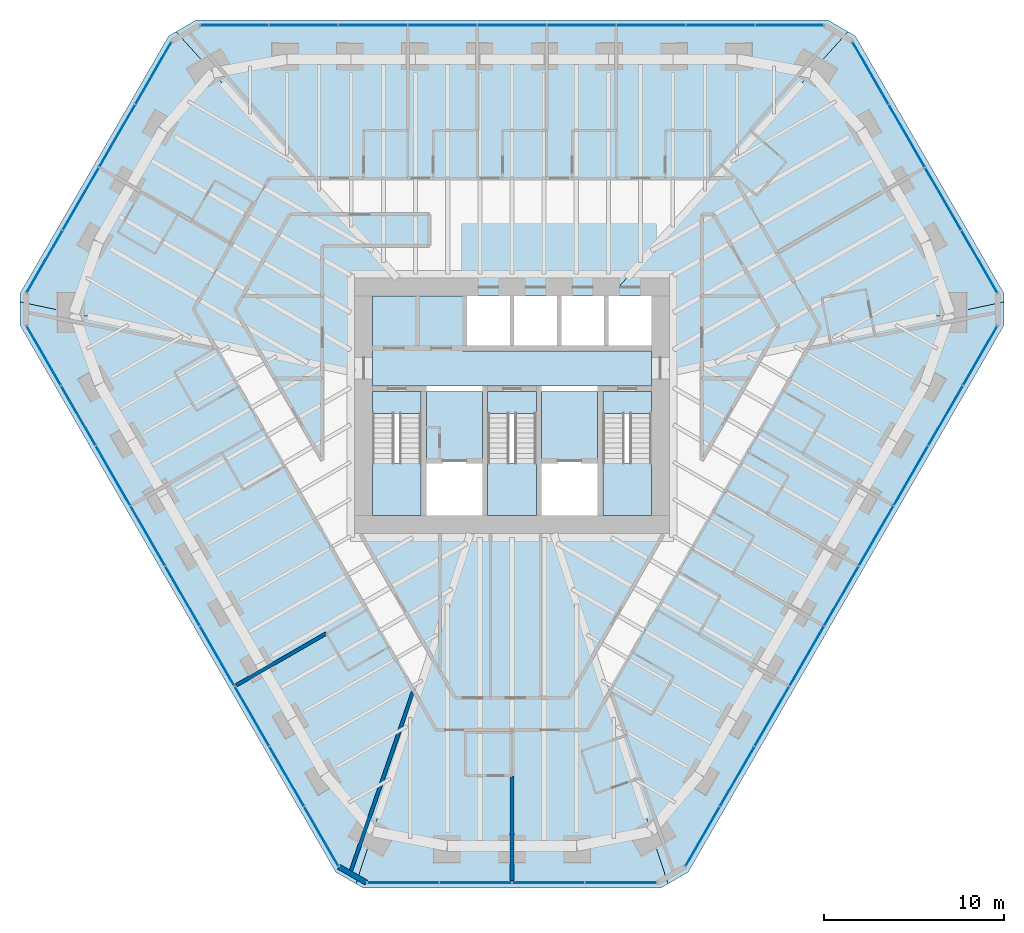
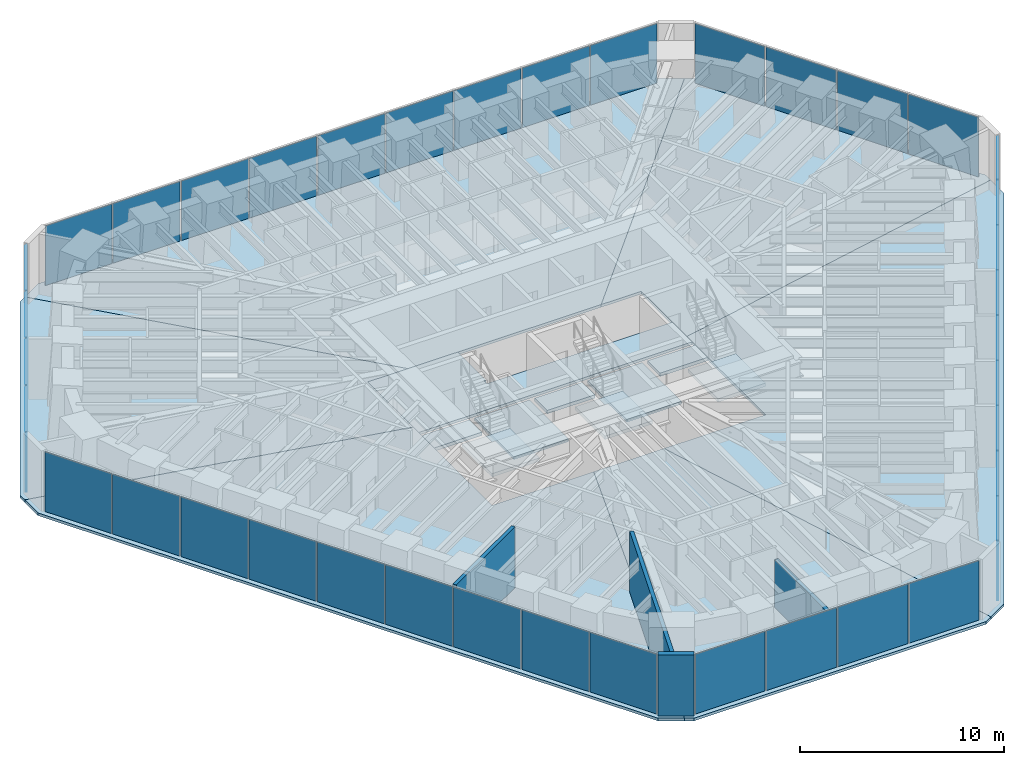
# One storey, part 10 of 17: 39 plates, 15 slabs, 4 walls, 9 elements without a shape of their own.
"""IFC4 building model written with IfcOpenShell, lengths in metres."""

from ifc_helpers import new_model, si_unit, direction, frame, frame_2d, origin, origin_2d, place, context, subcontext, project, spatial, polyline, rectangle, outline, extrude, material, layer, layer_set, type_object, element, aggregate, save


model = new_model("IFC4")

# Units and contexts
model_context = context("Model", 3, precision=1e-05, world=origin(), true_north=direction((0.0, 1.0)))
body_context = subcontext(model_context, "Body", "Model", "MODEL_VIEW")
ifc_project = project(units=[si_unit("LENGTHUNIT", "METRE"), si_unit("AREAUNIT", "SQUARE_METRE"), si_unit("VOLUMEUNIT", "CUBIC_METRE"), si_unit("PLANEANGLEUNIT", "RADIAN"), si_unit("MASSUNIT", "GRAM", prefix="KILO")], contexts=[model_context])

# Site, building, storey
site_placement = place(None, origin())
site = spatial("IfcSite", under=ifc_project, at=site_placement, CompositionType="ELEMENT")
building_placement = place(site_placement, origin())
building = spatial("IfcBuilding", under=site, at=building_placement, Name="Sandreach Pilgrim Tower", CompositionType="ELEMENT")
storey_placement = place(building_placement, frame((0.0, 0.0, 240.199951171875)))
storey = spatial("IfcBuildingStorey", under=building, at=storey_placement, Name="L60", CompositionType="ELEMENT", Elevation=240.199951171875)

# Curtain wall, plates
ifc_material_1 = material(Name="Aluminium framed curtain wall", Category="aluminium")
curtain_wall_type = type_object("IfcCurtainWallType", Name="Upper hotel tower curtain wall", PredefinedType="NOTDEFINED", material=ifc_material_1)
curtain_wall_1_placement = place(storey_placement, origin())
curtain_wall_1 = element("IfcCurtainWall", 1, at=curtain_wall_1_placement, inside=storey, type_object=curtain_wall_type, Name="CW-3 L60 N", PredefinedType="NOTDEFINED")
ifc_material_2 = material(Name="Insulating glass unit 12.76 laminated + 20 argon + 12.76 laminated", Category="glass")
ifc_layer_1 = layer(ifc_material_2, 0.0458984375)
ifc_layer_set_1 = layer_set([ifc_layer_1], Name="CW-3 panel")
plate_type = type_object("IfcPlateType", Name="CW-3 panel", PredefinedType="CURTAIN_PANEL", material=ifc_layer_set_1)
plate_1_placement = place(storey_placement, frame((-15.44140625, 21.16015625, 0.0), z_axis=(0.0, 0.0, 1.0), x_axis=(1.0, 0.0, 0.0)))
plate_1 = element("IfcPlate", 2, at=plate_1_placement, type_object=plate_type, Name="CW-3 panel 1", PredefinedType="CURTAIN_PANEL", context=body_context, shape_type="SweptSolid", body=[
    extrude(rectangle(XDim=3.766845703125, YDim=0.0458984375, at=origin_2d()), origin(), (0.0, 0.0, 1.0), 3.570068359375),
])
plate_2_placement = place(storey_placement, frame((-11.59326171875, 21.16015625, 0.0), z_axis=(0.0, 0.0, 1.0), x_axis=(1.0, 0.0, 0.0)))
plate_2 = element("IfcPlate", 3, at=plate_2_placement, type_object=plate_type, Name="CW-3 panel 2", PredefinedType="CURTAIN_PANEL", context=body_context, shape_type="SweptSolid", body=[
    extrude(rectangle(XDim=3.79931640625, YDim=0.0458984375, at=origin_2d()), origin(), (0.0, 0.0, 1.0), 3.570068359375),
])
plate_3_placement = place(storey_placement, frame((-7.728759765625, 21.16015625, 0.0), z_axis=(0.0, 0.0, 1.0), x_axis=(1.0, 0.0, 0.0)))
plate_3 = element("IfcPlate", 4, at=plate_3_placement, type_object=plate_type, Name="CW-3 panel 3", PredefinedType="CURTAIN_PANEL", context=body_context, shape_type="SweptSolid", body=[
    extrude(rectangle(XDim=3.79931640625, YDim=0.0458984375, at=origin_2d()), origin(), (0.0, 0.0, 1.0), 3.570068359375),
])
plate_4_placement = place(storey_placement, frame((-3.864501953125, 21.16015625, 0.0), z_axis=(0.0, 0.0, 1.0), x_axis=(1.0, 0.0, 0.0)))
plate_4 = element("IfcPlate", 5, at=plate_4_placement, type_object=plate_type, Name="CW-3 panel 4", PredefinedType="CURTAIN_PANEL", context=body_context, shape_type="SweptSolid", body=[
    extrude(rectangle(XDim=3.79931640625, YDim=0.0458984375, at=origin_2d()), origin(), (0.0, 0.0, 1.0), 3.570068359375),
])
plate_5_placement = place(storey_placement, frame((0.0, 21.16015625, 0.0), z_axis=(0.0, 0.0, 1.0), x_axis=(1.0, 0.0, 0.0)))
plate_5 = element("IfcPlate", 6, at=plate_5_placement, type_object=plate_type, Name="CW-3 panel 5", PredefinedType="CURTAIN_PANEL", context=body_context, shape_type="SweptSolid", body=[
    extrude(rectangle(XDim=3.79931640625, YDim=0.0458984375, at=origin_2d()), origin(), (0.0, 0.0, 1.0), 3.570068359375),
])
plate_6_placement = place(storey_placement, frame((3.864501953125, 21.16015625, 0.0), z_axis=(0.0, 0.0, 1.0), x_axis=(1.0, 0.0, 0.0)))
plate_6 = element("IfcPlate", 7, at=plate_6_placement, type_object=plate_type, Name="CW-3 panel 6", PredefinedType="CURTAIN_PANEL", context=body_context, shape_type="SweptSolid", body=[
    extrude(rectangle(XDim=3.79931640625, YDim=0.0458984375, at=origin_2d()), origin(), (0.0, 0.0, 1.0), 3.570068359375),
])
plate_7_placement = place(storey_placement, frame((7.728759765625, 21.16015625, 0.0), z_axis=(0.0, 0.0, 1.0), x_axis=(1.0, 0.0, 0.0)))
plate_7 = element("IfcPlate", 8, at=plate_7_placement, type_object=plate_type, Name="CW-3 panel 7", PredefinedType="CURTAIN_PANEL", context=body_context, shape_type="SweptSolid", body=[
    extrude(rectangle(XDim=3.79931640625, YDim=0.0458984375, at=origin_2d()), origin(), (0.0, 0.0, 1.0), 3.570068359375),
])
plate_8_placement = place(storey_placement, frame((11.59326171875, 21.16015625, 0.0), z_axis=(0.0, 0.0, 1.0), x_axis=(1.0, 0.0, 0.0)))
plate_8 = element("IfcPlate", 9, at=plate_8_placement, type_object=plate_type, Name="CW-3 panel 8", PredefinedType="CURTAIN_PANEL", context=body_context, shape_type="SweptSolid", body=[
    extrude(rectangle(XDim=3.79931640625, YDim=0.0458984375, at=origin_2d()), origin(), (0.0, 0.0, 1.0), 3.570068359375),
])
plate_9_placement = place(storey_placement, frame((15.44140625, 21.16015625, 0.0), z_axis=(0.0, 0.0, 1.0), x_axis=(1.0, 0.0, 0.0)))
plate_9 = element("IfcPlate", 10, at=plate_9_placement, type_object=plate_type, Name="CW-3 panel 9", PredefinedType="CURTAIN_PANEL", context=body_context, shape_type="SweptSolid", body=[
    extrude(rectangle(XDim=3.766845703125, YDim=0.0458984375, at=origin_2d()), origin(), (0.0, 0.0, 1.0), 3.570068359375),
])
aggregate(curtain_wall_1, [plate_1, plate_2, plate_3, plate_4, plate_5, plate_6, plate_7, plate_8, plate_9])

curtain_wall_2_placement = place(storey_placement, origin())
curtain_wall_2 = element("IfcCurtainWall", 11, at=curtain_wall_2_placement, inside=storey, type_object=curtain_wall_type, Name="CW-3 L60 NE", PredefinedType="NOTDEFINED")
plate_10_placement = place(storey_placement, frame((19.943115234375, 18.5078125, 0.0), z_axis=(0.0, 0.0, 1.0), x_axis=(0.5, -0.866025403784, 0.0)))
plate_10 = element("IfcPlate", 12, at=plate_10_placement, type_object=plate_type, Name="CW-3 panel 1", PredefinedType="CURTAIN_PANEL", context=body_context, shape_type="SweptSolid", body=[
    extrude(rectangle(XDim=3.951171875, YDim=0.0458984375, at=origin_2d()), origin(), (0.0, 0.0, 1.0), 3.570068359375),
])
plate_11_placement = place(storey_placement, frame((21.959228515625, 15.015625, 0.0), z_axis=(0.0, 0.0, 1.0), x_axis=(0.5, -0.866025403784, 0.0)))
plate_11 = element("IfcPlate", 13, at=plate_11_placement, type_object=plate_type, Name="CW-3 panel 2", PredefinedType="CURTAIN_PANEL", context=body_context, shape_type="SweptSolid", body=[
    extrude(rectangle(XDim=3.983642578125, YDim=0.0458984375, at=origin_2d()), origin(), (0.0, 0.0, 1.0), 3.570068359375),
])
plate_12_placement = place(storey_placement, frame((23.983642578125, 11.509521484375, 0.0), z_axis=(0.0, 0.0, 1.0), x_axis=(0.5, -0.866025403784, 0.0)))
plate_12 = element("IfcPlate", 14, at=plate_12_placement, type_object=plate_type, Name="CW-3 panel 3", PredefinedType="CURTAIN_PANEL", context=body_context, shape_type="SweptSolid", body=[
    extrude(rectangle(XDim=3.983642578125, YDim=0.0458984375, at=origin_2d()), origin(), (0.0, 0.0, 1.0), 3.570068359375),
])
plate_13_placement = place(storey_placement, frame((25.999755859375, 8.017333984375, 0.0), z_axis=(0.0, 0.0, 1.0), x_axis=(0.5, -0.866025403784, 0.0)))
plate_13 = element("IfcPlate", 15, at=plate_13_placement, type_object=plate_type, Name="CW-3 panel 4", PredefinedType="CURTAIN_PANEL", context=body_context, shape_type="SweptSolid", body=[
    extrude(rectangle(XDim=3.951171875, YDim=0.0458984375, at=origin_2d()), origin(), (0.0, 0.0, 1.0), 3.570068359375),
])
aggregate(curtain_wall_2, [plate_10, plate_11, plate_12, plate_13])

curtain_wall_3_placement = place(storey_placement, origin())
curtain_wall_3 = element("IfcCurtainWall", 16, at=curtain_wall_3_placement, inside=storey, type_object=curtain_wall_type, Name="CW-3 L60 SE", PredefinedType="NOTDEFINED")
plate_14_placement = place(storey_placement, frame((26.0458984375, 2.792724609375, 0.0), z_axis=(0.0, 0.0, 1.0), x_axis=(-0.5, -0.866025403784, 0.0)))
plate_14 = element("IfcPlate", 17, at=plate_14_placement, type_object=plate_type, Name="CW-3 panel 1", PredefinedType="CURTAIN_PANEL", context=body_context, shape_type="SweptSolid", body=[
    extrude(rectangle(XDim=3.766845703125, YDim=0.0458984375, at=origin_2d()), origin(), (0.0, 0.0, 1.0), 3.570068359375),
])
plate_15_placement = place(storey_placement, frame((24.121826171875, -0.5400390625, 0.0), z_axis=(0.0, 0.0, 1.0), x_axis=(-0.5, -0.866025403784, 0.0)))
plate_15 = element("IfcPlate", 18, at=plate_15_placement, type_object=plate_type, Name="CW-3 panel 2", PredefinedType="CURTAIN_PANEL", context=body_context, shape_type="SweptSolid", body=[
    extrude(rectangle(XDim=3.79931640625, YDim=0.0458984375, at=origin_2d()), origin(), (0.0, 0.0, 1.0), 3.570068359375),
])
plate_16_placement = place(storey_placement, frame((22.189697265625, -3.88671875, 0.0), z_axis=(0.0, 0.0, 1.0), x_axis=(-0.5, -0.866025403784, 0.0)))
plate_16 = element("IfcPlate", 19, at=plate_16_placement, type_object=plate_type, Name="CW-3 panel 3", PredefinedType="CURTAIN_PANEL", context=body_context, shape_type="SweptSolid", body=[
    extrude(rectangle(XDim=3.79931640625, YDim=0.0458984375, at=origin_2d()), origin(), (0.0, 0.0, 1.0), 3.570068359375),
])
plate_17_placement = place(storey_placement, frame((20.25732421875, -7.2333984375, 0.0), z_axis=(0.0, 0.0, 1.0), x_axis=(-0.5, -0.866025403784, 0.0)))
plate_17 = element("IfcPlate", 20, at=plate_17_placement, type_object=plate_type, Name="CW-3 panel 4", PredefinedType="CURTAIN_PANEL", context=body_context, shape_type="SweptSolid", body=[
    extrude(rectangle(XDim=3.79931640625, YDim=0.0458984375, at=origin_2d()), origin(), (0.0, 0.0, 1.0), 3.570068359375),
])
plate_18_placement = place(storey_placement, frame((18.3251953125, -10.580078125, 0.0), z_axis=(0.0, 0.0, 1.0), x_axis=(-0.5, -0.866025403784, 0.0)))
plate_18 = element("IfcPlate", 21, at=plate_18_placement, type_object=plate_type, Name="CW-3 panel 5", PredefinedType="CURTAIN_PANEL", context=body_context, shape_type="SweptSolid", body=[
    extrude(rectangle(XDim=3.79931640625, YDim=0.0458984375, at=origin_2d()), origin(), (0.0, 0.0, 1.0), 3.570068359375),
])
plate_19_placement = place(storey_placement, frame((16.39306640625, -13.9267578125, 0.0), z_axis=(0.0, 0.0, 1.0), x_axis=(-0.5, -0.866025403784, 0.0)))
plate_19 = element("IfcPlate", 22, at=plate_19_placement, type_object=plate_type, Name="CW-3 panel 6", PredefinedType="CURTAIN_PANEL", context=body_context, shape_type="SweptSolid", body=[
    extrude(rectangle(XDim=3.79931640625, YDim=0.0458984375, at=origin_2d()), origin(), (0.0, 0.0, 1.0), 3.570068359375),
])
plate_20_placement = place(storey_placement, frame((14.460693359375, -17.2734375, 0.0), z_axis=(0.0, 0.0, 1.0), x_axis=(-0.5, -0.866025403784, 0.0)))
plate_20 = element("IfcPlate", 23, at=plate_20_placement, type_object=plate_type, Name="CW-3 panel 7", PredefinedType="CURTAIN_PANEL", context=body_context, shape_type="SweptSolid", body=[
    extrude(rectangle(XDim=3.79931640625, YDim=0.0458984375, at=origin_2d()), origin(), (0.0, 0.0, 1.0), 3.570068359375),
])
plate_21_placement = place(storey_placement, frame((12.528564453125, -20.6201171875, 0.0), z_axis=(0.0, 0.0, 1.0), x_axis=(-0.5, -0.866025403784, 0.0)))
plate_21 = element("IfcPlate", 24, at=plate_21_placement, type_object=plate_type, Name="CW-3 panel 8", PredefinedType="CURTAIN_PANEL", context=body_context, shape_type="SweptSolid", body=[
    extrude(rectangle(XDim=3.79931640625, YDim=0.0458984375, at=origin_2d()), origin(), (0.0, 0.0, 1.0), 3.570068359375),
])
plate_22_placement = place(storey_placement, frame((10.6044921875, -23.95263671875, 0.0), z_axis=(0.0, 0.0, 1.0), x_axis=(-0.5, -0.866025403784, 0.0)))
plate_22 = element("IfcPlate", 25, at=plate_22_placement, type_object=plate_type, Name="CW-3 panel 9", PredefinedType="CURTAIN_PANEL", context=body_context, shape_type="SweptSolid", body=[
    extrude(rectangle(XDim=3.766845703125, YDim=0.0458984375, at=origin_2d()), origin(), (0.0, 0.0, 1.0), 3.570068359375),
])
aggregate(curtain_wall_3, [plate_14, plate_15, plate_16, plate_17, plate_18, plate_19, plate_20, plate_21, plate_22])

curtain_wall_4_placement = place(storey_placement, origin())
curtain_wall_4 = element("IfcCurtainWall", 26, at=curtain_wall_4_placement, inside=storey, type_object=curtain_wall_type, Name="CW-3 L60 S", PredefinedType="NOTDEFINED")
plate_23_placement = place(storey_placement, frame((6.056884765625, -26.525146484375, 0.0), z_axis=(0.0, 0.0, 1.0), x_axis=(-1.0, 0.0, 0.0)))
plate_23 = element("IfcPlate", 27, at=plate_23_placement, type_object=plate_type, Name="CW-3 panel 1", PredefinedType="CURTAIN_PANEL", context=body_context, shape_type="SweptSolid", body=[
    extrude(rectangle(XDim=3.951171875, YDim=0.0458984375, at=origin_2d()), origin(), (0.0, 0.0, 1.0), 3.570068359375),
])
plate_24_placement = place(storey_placement, frame((2.0244140625, -26.525146484375, 0.0), z_axis=(0.0, 0.0, 1.0), x_axis=(-1.0, 0.0, 0.0)))
plate_24 = element("IfcPlate", 28, at=plate_24_placement, type_object=plate_type, Name="CW-3 panel 2", PredefinedType="CURTAIN_PANEL", context=body_context, shape_type="SweptSolid", body=[
    extrude(rectangle(XDim=3.983642578125, YDim=0.0458984375, at=origin_2d()), origin(), (0.0, 0.0, 1.0), 3.570068359375),
])
plate_25_placement = place(storey_placement, frame((-2.0244140625, -26.525146484375, 0.0), z_axis=(0.0, 0.0, 1.0), x_axis=(-1.0, 0.0, 0.0)))
plate_25 = element("IfcPlate", 29, at=plate_25_placement, type_object=plate_type, Name="CW-3 panel 3", PredefinedType="CURTAIN_PANEL", context=body_context, shape_type="SweptSolid", body=[
    extrude(rectangle(XDim=3.983642578125, YDim=0.0458984375, at=origin_2d()), origin(), (0.0, 0.0, 1.0), 3.570068359375),
])
plate_26_placement = place(storey_placement, frame((-6.056884765625, -26.525146484375, 0.0), z_axis=(0.0, 0.0, 1.0), x_axis=(-1.0, 0.0, 0.0)))
plate_26 = element("IfcPlate", 30, at=plate_26_placement, type_object=plate_type, Name="CW-3 panel 4", PredefinedType="CURTAIN_PANEL", context=body_context, shape_type="SweptSolid", body=[
    extrude(rectangle(XDim=3.951171875, YDim=0.0458984375, at=origin_2d()), origin(), (0.0, 0.0, 1.0), 3.570068359375),
])
aggregate(curtain_wall_4, [plate_23, plate_24, plate_25, plate_26])

curtain_wall_5_placement = place(storey_placement, origin())
curtain_wall_5 = element("IfcCurtainWall", 31, at=curtain_wall_5_placement, inside=storey, type_object=curtain_wall_type, Name="CW-3 L60 SW", PredefinedType="NOTDEFINED")
plate_27_placement = place(storey_placement, frame((-10.6044921875, -23.95263671875, 0.0), z_axis=(0.0, 0.0, 1.0), x_axis=(-0.5, 0.866025403784, 0.0)))
plate_27 = element("IfcPlate", 32, at=plate_27_placement, type_object=plate_type, Name="CW-3 panel 1", PredefinedType="CURTAIN_PANEL", context=body_context, shape_type="SweptSolid", body=[
    extrude(rectangle(XDim=3.766845703125, YDim=0.0458984375, at=origin_2d()), origin(), (0.0, 0.0, 1.0), 3.570068359375),
])
plate_28_placement = place(storey_placement, frame((-12.528564453125, -20.6201171875, 0.0), z_axis=(0.0, 0.0, 1.0), x_axis=(-0.5, 0.866025403784, 0.0)))
plate_28 = element("IfcPlate", 33, at=plate_28_placement, type_object=plate_type, Name="CW-3 panel 2", PredefinedType="CURTAIN_PANEL", context=body_context, shape_type="SweptSolid", body=[
    extrude(rectangle(XDim=3.79931640625, YDim=0.0458984375, at=origin_2d()), origin(), (0.0, 0.0, 1.0), 3.570068359375),
])
plate_29_placement = place(storey_placement, frame((-14.460693359375, -17.2734375, 0.0), z_axis=(0.0, 0.0, 1.0), x_axis=(-0.5, 0.866025403784, 0.0)))
plate_29 = element("IfcPlate", 34, at=plate_29_placement, type_object=plate_type, Name="CW-3 panel 3", PredefinedType="CURTAIN_PANEL", context=body_context, shape_type="SweptSolid", body=[
    extrude(rectangle(XDim=3.79931640625, YDim=0.0458984375, at=origin_2d()), origin(), (0.0, 0.0, 1.0), 3.570068359375),
])
plate_30_placement = place(storey_placement, frame((-16.39306640625, -13.9267578125, 0.0), z_axis=(0.0, 0.0, 1.0), x_axis=(-0.5, 0.866025403784, 0.0)))
plate_30 = element("IfcPlate", 35, at=plate_30_placement, type_object=plate_type, Name="CW-3 panel 4", PredefinedType="CURTAIN_PANEL", context=body_context, shape_type="SweptSolid", body=[
    extrude(rectangle(XDim=3.79931640625, YDim=0.0458984375, at=origin_2d()), origin(), (0.0, 0.0, 1.0), 3.570068359375),
])
plate_31_placement = place(storey_placement, frame((-18.3251953125, -10.580078125, 0.0), z_axis=(0.0, 0.0, 1.0), x_axis=(-0.5, 0.866025403784, 0.0)))
plate_31 = element("IfcPlate", 36, at=plate_31_placement, type_object=plate_type, Name="CW-3 panel 5", PredefinedType="CURTAIN_PANEL", context=body_context, shape_type="SweptSolid", body=[
    extrude(rectangle(XDim=3.79931640625, YDim=0.0458984375, at=origin_2d()), origin(), (0.0, 0.0, 1.0), 3.570068359375),
])
plate_32_placement = place(storey_placement, frame((-20.25732421875, -7.2333984375, 0.0), z_axis=(0.0, 0.0, 1.0), x_axis=(-0.5, 0.866025403784, 0.0)))
plate_32 = element("IfcPlate", 37, at=plate_32_placement, type_object=plate_type, Name="CW-3 panel 6", PredefinedType="CURTAIN_PANEL", context=body_context, shape_type="SweptSolid", body=[
    extrude(rectangle(XDim=3.79931640625, YDim=0.0458984375, at=origin_2d()), origin(), (0.0, 0.0, 1.0), 3.570068359375),
])
plate_33_placement = place(storey_placement, frame((-22.189697265625, -3.88671875, 0.0), z_axis=(0.0, 0.0, 1.0), x_axis=(-0.5, 0.866025403784, 0.0)))
plate_33 = element("IfcPlate", 38, at=plate_33_placement, type_object=plate_type, Name="CW-3 panel 7", PredefinedType="CURTAIN_PANEL", context=body_context, shape_type="SweptSolid", body=[
    extrude(rectangle(XDim=3.79931640625, YDim=0.0458984375, at=origin_2d()), origin(), (0.0, 0.0, 1.0), 3.570068359375),
])
plate_34_placement = place(storey_placement, frame((-24.121826171875, -0.5400390625, 0.0), z_axis=(0.0, 0.0, 1.0), x_axis=(-0.5, 0.866025403784, 0.0)))
plate_34 = element("IfcPlate", 39, at=plate_34_placement, type_object=plate_type, Name="CW-3 panel 8", PredefinedType="CURTAIN_PANEL", context=body_context, shape_type="SweptSolid", body=[
    extrude(rectangle(XDim=3.79931640625, YDim=0.0458984375, at=origin_2d()), origin(), (0.0, 0.0, 1.0), 3.570068359375),
])
plate_35_placement = place(storey_placement, frame((-26.0458984375, 2.792724609375, 0.0), z_axis=(0.0, 0.0, 1.0), x_axis=(-0.5, 0.866025403784, 0.0)))
plate_35 = element("IfcPlate", 40, at=plate_35_placement, type_object=plate_type, Name="CW-3 panel 9", PredefinedType="CURTAIN_PANEL", context=body_context, shape_type="SweptSolid", body=[
    extrude(rectangle(XDim=3.766845703125, YDim=0.0458984375, at=origin_2d()), origin(), (0.0, 0.0, 1.0), 3.570068359375),
])
aggregate(curtain_wall_5, [plate_27, plate_28, plate_29, plate_30, plate_31, plate_32, plate_33, plate_34, plate_35])

curtain_wall_6_placement = place(storey_placement, origin())
curtain_wall_6 = element("IfcCurtainWall", 41, at=curtain_wall_6_placement, inside=storey, type_object=curtain_wall_type, Name="CW-3 L60 NW", PredefinedType="NOTDEFINED")
plate_36_placement = place(storey_placement, frame((-25.999755859375, 8.017333984375, 0.0), z_axis=(0.0, 0.0, 1.0), x_axis=(0.5, 0.866025403784, 0.0)))
plate_36 = element("IfcPlate", 42, at=plate_36_placement, type_object=plate_type, Name="CW-3 panel 1", PredefinedType="CURTAIN_PANEL", context=body_context, shape_type="SweptSolid", body=[
    extrude(rectangle(XDim=3.951171875, YDim=0.0458984375, at=origin_2d()), origin(), (0.0, 0.0, 1.0), 3.570068359375),
])
plate_37_placement = place(storey_placement, frame((-23.983642578125, 11.509521484375, 0.0), z_axis=(0.0, 0.0, 1.0), x_axis=(0.5, 0.866025403784, 0.0)))
plate_37 = element("IfcPlate", 43, at=plate_37_placement, type_object=plate_type, Name="CW-3 panel 2", PredefinedType="CURTAIN_PANEL", context=body_context, shape_type="SweptSolid", body=[
    extrude(rectangle(XDim=3.983642578125, YDim=0.0458984375, at=origin_2d()), origin(), (0.0, 0.0, 1.0), 3.570068359375),
])
plate_38_placement = place(storey_placement, frame((-21.959228515625, 15.015625, 0.0), z_axis=(0.0, 0.0, 1.0), x_axis=(0.5, 0.866025403784, 0.0)))
plate_38 = element("IfcPlate", 44, at=plate_38_placement, type_object=plate_type, Name="CW-3 panel 3", PredefinedType="CURTAIN_PANEL", context=body_context, shape_type="SweptSolid", body=[
    extrude(rectangle(XDim=3.983642578125, YDim=0.0458984375, at=origin_2d()), origin(), (0.0, 0.0, 1.0), 3.570068359375),
])
plate_39_placement = place(storey_placement, frame((-19.943115234375, 18.5078125, 0.0), z_axis=(0.0, 0.0, 1.0), x_axis=(0.5, 0.866025403784, 0.0)))
plate_39 = element("IfcPlate", 45, at=plate_39_placement, type_object=plate_type, Name="CW-3 panel 4", PredefinedType="CURTAIN_PANEL", context=body_context, shape_type="SweptSolid", body=[
    extrude(rectangle(XDim=3.951171875, YDim=0.0458984375, at=origin_2d()), origin(), (0.0, 0.0, 1.0), 3.570068359375),
])
aggregate(curtain_wall_6, [plate_36, plate_37, plate_38, plate_39])

# Slabs
ifc_material_3 = material(Name="Concrete 8000 psi", Category="concrete")
ifc_layer_2 = layer(ifc_material_3, 0.159912109375)
ifc_layer_set_2 = layer_set([ifc_layer_2], Name="Composite floor slab 160")
slab_type_1 = type_object("IfcSlabType", Name="Composite floor slab 160", PredefinedType="FLOOR", material=ifc_layer_set_2)
slab_1_placement = place(storey_placement, frame((0.0, 0.0, -0.159912109375)))
element("IfcSlab", 46, at=slab_1_placement, inside=storey, type_object=slab_type_1, Name="Floor slab L60 N sector", PredefinedType="FLOOR", context=body_context, shape_type="SweptSolid", body=[
    extrude(outline(polyline([(-17.56298828125, 21.460205078125), (17.56298828125, 21.460205078125), (18.68701171875, 20.81103515625), (5.477294921875, 6.10009765625), (-5.477294921875, 6.10009765625), (-18.68701171875, 20.81103515625), (-17.56298828125, 21.460205078125)])), origin(), (0.0, 0.0, 1.0), 0.159912109375),
])
slab_2_placement = place(storey_placement, frame((0.0, 0.0, -0.159912109375)))
element("IfcSlab", 47, at=slab_2_placement, inside=storey, type_object=slab_type_1, Name="Floor slab L60 NE sector", PredefinedType="FLOOR", context=body_context, shape_type="SweptSolid", body=[
    extrude(outline(polyline([(19.095947265625, 20.5751953125), (27.366455078125, 6.25), (27.366455078125, 5.778076171875), (7.75, 1.63623046875), (7.75, 6.10009765625), (5.477294921875, 6.10009765625), (18.68701171875, 20.81103515625), (19.095947265625, 20.5751953125)])), origin(), (0.0, 0.0, 1.0), 0.159912109375),
])
slab_3_placement = place(storey_placement, frame((0.0, 0.0, -0.159912109375)))
element("IfcSlab", 48, at=slab_3_placement, inside=storey, type_object=slab_type_1, Name="Floor slab L60 SE sector", PredefinedType="FLOOR", context=body_context, shape_type="SweptSolid", body=[
    extrude(outline(polyline([(27.366455078125, 4.47998046875), (9.803466796875, -25.940185546875), (8.679443359375, -26.589111328125), (1.9912109375, -6.10009765625), (7.75, -6.10009765625), (7.75, 1.63623046875), (27.366455078125, 5.778076171875), (27.366455078125, 4.47998046875)])), origin(), (0.0, 0.0, 1.0), 0.159912109375),
])
slab_4_placement = place(storey_placement, frame((0.0, 0.0, -0.159912109375)))
element("IfcSlab", 49, at=slab_4_placement, inside=storey, type_object=slab_type_1, Name="Floor slab L60 S sector", PredefinedType="FLOOR", context=body_context, shape_type="SweptSolid", body=[
    extrude(outline(polyline([(8.2705078125, -26.8251953125), (-8.2705078125, -26.8251953125), (-8.679443359375, -26.589111328125), (-1.9912109375, -6.10009765625), (1.9912109375, -6.10009765625), (8.679443359375, -26.589111328125), (8.2705078125, -26.8251953125)])), origin(), (0.0, 0.0, 1.0), 0.159912109375),
])
slab_5_placement = place(storey_placement, frame((0.0, 0.0, -0.159912109375)))
element("IfcSlab", 50, at=slab_5_placement, inside=storey, type_object=slab_type_1, Name="Floor slab L60 SW sector", PredefinedType="FLOOR", context=body_context, shape_type="SweptSolid", body=[
    extrude(outline(polyline([(-9.803466796875, -25.940185546875), (-27.366455078125, 4.47998046875), (-27.366455078125, 5.778076171875), (-7.75, 1.63623046875), (-7.75, -6.10009765625), (-1.9912109375, -6.10009765625), (-8.679443359375, -26.589111328125), (-9.803466796875, -25.940185546875)])), origin(), (0.0, 0.0, 1.0), 0.159912109375),
])
slab_6_placement = place(storey_placement, frame((0.0, 0.0, -0.159912109375)))
element("IfcSlab", 51, at=slab_6_placement, inside=storey, type_object=slab_type_1, Name="Floor slab L60 NW sector", PredefinedType="FLOOR", context=body_context, shape_type="SweptSolid", body=[
    extrude(outline(polyline([(-27.366455078125, 6.25), (-19.095947265625, 20.5751953125), (-18.68701171875, 20.81103515625), (-5.477294921875, 6.10009765625), (-7.75, 6.10009765625), (-7.75, 1.63623046875), (-27.366455078125, 5.778076171875), (-27.366455078125, 6.25)])), origin(), (0.0, 0.0, 1.0), 0.159912109375),
])
slab_7_placement = place(storey_placement, frame((0.0, 0.0, -0.159912109375)))
element("IfcSlab", 52, at=slab_7_placement, inside=storey, type_object=slab_type_1, Name="Core floor slab L60", PredefinedType="FLOOR", context=body_context, shape_type="SweptSolid", body=[
    extrude(outline(polyline([(-2.75, 3.35009765625), (-2.75, 3.050048828125), (-0.125, 3.050048828125), (0.125, 3.050048828125), (2.5, 3.050048828125), (2.75, 3.050048828125), (5.125, 3.050048828125), (5.375, 3.050048828125), (7.75, 3.050048828125), (7.75, 1.10009765625), (5.050048828125, 1.10009765625), (4.75, 1.10009765625), (1.64990234375, 1.10009765625), (1.35009765625, 1.10009765625), (-1.35009765625, 1.10009765625), (-1.64990234375, 1.10009765625), (-4.75, 1.10009765625), (-5.050048828125, 1.10009765625), (-7.75, 1.10009765625), (-7.75, 6.10009765625), (-2.64990234375, 6.10009765625), (-2.64990234375, 3.35009765625), (-2.75, 3.35009765625)])), origin(), (0.0, 0.0, 1.0), 0.159912109375),
])
slab_8_placement = place(storey_placement, frame((0.0, 0.0, -0.159912109375)))
element("IfcSlab", 53, at=slab_8_placement, inside=storey, type_object=slab_type_1, Name="Core floor slab L60 2", PredefinedType="FLOOR", context=body_context, shape_type="SweptSolid", body=[
    extrude(outline(polyline([(-1.64990234375, -3.050048828125), (-4.75, -3.050048828125), (-4.75, 0.800048828125), (-1.64990234375, 0.800048828125), (-1.64990234375, -3.050048828125)])), origin(), (0.0, 0.0, 1.0), 0.159912109375),
])
slab_9_placement = place(storey_placement, frame((0.0, 0.0, -0.159912109375)))
element("IfcSlab", 54, at=slab_9_placement, inside=storey, type_object=slab_type_1, Name="Core floor slab L60 3", PredefinedType="FLOOR", context=body_context, shape_type="SweptSolid", body=[
    extrude(outline(polyline([(4.75, -3.050048828125), (1.64990234375, -3.050048828125), (1.64990234375, 0.800048828125), (4.75, 0.800048828125), (4.75, -3.050048828125)])), origin(), (0.0, 0.0, 1.0), 0.159912109375),
])

# Stair, slabs
ifc_material_4 = material(Name="Concrete 8000 psi", Category="concrete")
stair_type = type_object("IfcStairType", Name="Core exit stair", PredefinedType="HALF_TURN_STAIR", material=ifc_material_4)
stair_1_placement = place(storey_placement, origin())
stair_1 = element("IfcStair", 55, at=stair_1_placement, inside=storey, type_object=stair_type, Name="Exit stair ST1 L60", PredefinedType="HALF_TURN_STAIR")
ifc_material_5 = material(Name="Concrete 8000 psi", Category="concrete")
ifc_layer_3 = layer(ifc_material_5, 0.199951171875)
ifc_layer_set_3 = layer_set([ifc_layer_3], Name="Core stair landing 200")
slab_type_2 = type_object("IfcSlabType", Name="Core stair landing 200", PredefinedType="LANDING", material=ifc_layer_set_3)
slab_10_placement = place(storey_placement, frame((0.0, 0.0, -0.199951171875)))
slab_10 = element("IfcSlab", 56, at=slab_10_placement, type_object=slab_type_2, Name="ST1 landing 1", PredefinedType="LANDING", context=body_context, shape_type="SweptSolid", body=[
    extrude(outline(polyline([(-7.75, -0.425048828125), (-5.050048828125, -0.425048828125), (-5.050048828125, 0.800048828125), (-7.75, 0.800048828125), (-7.75, -0.425048828125)])), origin(), (0.0, 0.0, 1.0), 0.199951171875),
])
slab_11_placement = place(storey_placement, frame((0.0, 0.0, 1.699951171875)))
slab_11 = element("IfcSlab", 57, at=slab_11_placement, type_object=slab_type_2, Name="ST1 landing 2", PredefinedType="LANDING", context=body_context, shape_type="SweptSolid", body=[
    extrude(outline(polyline([(-7.75, -6.10009765625), (-5.050048828125, -6.10009765625), (-5.050048828125, -3.175048828125), (-7.75, -3.175048828125), (-7.75, -6.10009765625)])), origin(), (0.0, 0.0, 1.0), 0.2001953125),
])
aggregate(stair_1, [slab_10, slab_11])

stair_2_placement = place(storey_placement, origin())
stair_2 = element("IfcStair", 58, at=stair_2_placement, inside=storey, type_object=stair_type, Name="Exit stair ST3 L60", PredefinedType="HALF_TURN_STAIR")
slab_12_placement = place(storey_placement, frame((0.0, 0.0, -0.199951171875)))
slab_12 = element("IfcSlab", 59, at=slab_12_placement, type_object=slab_type_2, Name="ST3 landing 1", PredefinedType="LANDING", context=body_context, shape_type="SweptSolid", body=[
    extrude(outline(polyline([(-1.35009765625, -0.425048828125), (1.35009765625, -0.425048828125), (1.35009765625, 0.800048828125), (-1.35009765625, 0.800048828125), (-1.35009765625, -0.425048828125)])), origin(), (0.0, 0.0, 1.0), 0.199951171875),
])
slab_13_placement = place(storey_placement, frame((0.0, 0.0, 1.699951171875)))
slab_13 = element("IfcSlab", 60, at=slab_13_placement, type_object=slab_type_2, Name="ST3 landing 2", PredefinedType="LANDING", context=body_context, shape_type="SweptSolid", body=[
    extrude(outline(polyline([(-1.35009765625, -6.10009765625), (1.35009765625, -6.10009765625), (1.35009765625, -3.175048828125), (-1.35009765625, -3.175048828125), (-1.35009765625, -6.10009765625)])), origin(), (0.0, 0.0, 1.0), 0.2001953125),
])
aggregate(stair_2, [slab_12, slab_13])

stair_3_placement = place(storey_placement, origin())
stair_3 = element("IfcStair", 61, at=stair_3_placement, inside=storey, type_object=stair_type, Name="Exit stair ST2 L60", PredefinedType="HALF_TURN_STAIR")
slab_14_placement = place(storey_placement, frame((0.0, 0.0, -0.199951171875)))
slab_14 = element("IfcSlab", 62, at=slab_14_placement, type_object=slab_type_2, Name="ST2 landing 1", PredefinedType="LANDING", context=body_context, shape_type="SweptSolid", body=[
    extrude(outline(polyline([(5.050048828125, -0.425048828125), (7.75, -0.425048828125), (7.75, 0.800048828125), (5.050048828125, 0.800048828125), (5.050048828125, -0.425048828125)])), origin(), (0.0, 0.0, 1.0), 0.199951171875),
])
slab_15_placement = place(storey_placement, frame((0.0, 0.0, 1.699951171875)))
slab_15 = element("IfcSlab", 63, at=slab_15_placement, type_object=slab_type_2, Name="ST2 landing 2", PredefinedType="LANDING", context=body_context, shape_type="SweptSolid", body=[
    extrude(outline(polyline([(5.050048828125, -6.10009765625), (7.75, -6.10009765625), (7.75, -3.175048828125), (5.050048828125, -3.175048828125), (5.050048828125, -6.10009765625)])), origin(), (0.0, 0.0, 1.0), 0.2001953125),
])
aggregate(stair_3, [slab_14, slab_15])

# Walls
ifc_material_6 = material(Name="Double steel stud acoustic wall, gypsum board", Category="steel")
ifc_layer_4 = layer(ifc_material_6, 0.199951171875)
ifc_layer_set_4 = layer_set([ifc_layer_4], Name="Party wall 200")
wall_type_1 = type_object("IfcWallType", Name="Party wall 200", PredefinedType="PARTITIONING", material=ifc_layer_set_4)
wall_1_placement = place(storey_placement, frame((-15.325927734375, -15.5400390625, 0.0), z_axis=(0.0, 0.0, 1.0), x_axis=(0.866342721203, 0.499449986905, 0.0)))
element("IfcWall", 64, at=wall_1_placement, inside=storey, type_object=wall_type_1, Name="Party wall L60-023", PredefinedType="PARTITIONING", context=body_context, shape_type="SweptSolid", body=[
    extrude(rectangle(XDim=5.7666015625, YDim=0.199951171875, at=frame_2d((2.88330078125, 0.0))), origin(), (0.0, 0.0, 1.0), 3.64013671875),
])
wall_2_placement = place(storey_placement, frame((-9.01025390625, -26.01171875, 0.0), z_axis=(0.0, 0.0, 1.0), x_axis=(0.327582991606, 0.944822408504, 0.0)))
element("IfcWall", 65, at=wall_2_placement, inside=storey, type_object=wall_type_1, Name="Party wall L60-044", PredefinedType="PARTITIONING", context=body_context, shape_type="SweptSolid", body=[
    extrude(rectangle(XDim=10.66650390625, YDim=0.199951171875, at=frame_2d((5.333251953125, 0.0))), origin(), (0.0, 0.0, 1.0), 3.64013671875),
])
wall_3_placement = place(storey_placement, frame((0.0, -26.409912109375, 0.0), z_axis=(0.0, 0.0, 1.0), x_axis=(0.0, 1.0, 0.0)))
element("IfcWall", 66, at=wall_3_placement, inside=storey, type_object=wall_type_1, Name="Party wall L60-072", PredefinedType="PARTITIONING", context=body_context, shape_type="SweptSolid", body=[
    extrude(rectangle(XDim=5.829833984375, YDim=0.199951171875, at=frame_2d((2.9150390625, 0.0))), origin(), (0.0, 0.0, 1.0), 2.8603515625),
])
ifc_material_7 = material(Name="Terracotta rainscreen on concrete", Category="masonry")
ifc_layer_5 = layer(ifc_material_7, 0.300048828125)
ifc_layer_set_5 = layer_set([ifc_layer_5], Name="Terracotta chamfer pier")
wall_type_2 = type_object("IfcWallType", Name="Terracotta chamfer pier", PredefinedType="SOLIDWALL", material=ifc_layer_set_5)
wall_4_placement = place(storey_placement, frame((-8.097412109375, -26.525146484375, 0.0), z_axis=(0.0, 0.0, 1.0), x_axis=(-0.866036293601, 0.499981137809, 0.0)))
element("IfcWall", 67, at=wall_4_placement, inside=storey, type_object=wall_type_2, Name="Chamfer pier L60 S", PredefinedType="SOLIDWALL", context=body_context, shape_type="SweptSolid", body=[
    extrude(rectangle(XDim=1.77001953125, YDim=0.300048828125, at=frame_2d((0.885009765625, 0.0))), origin(), (0.0, 0.0, 1.0), 3.64013671875),
])

save(model, "model.ifc")
